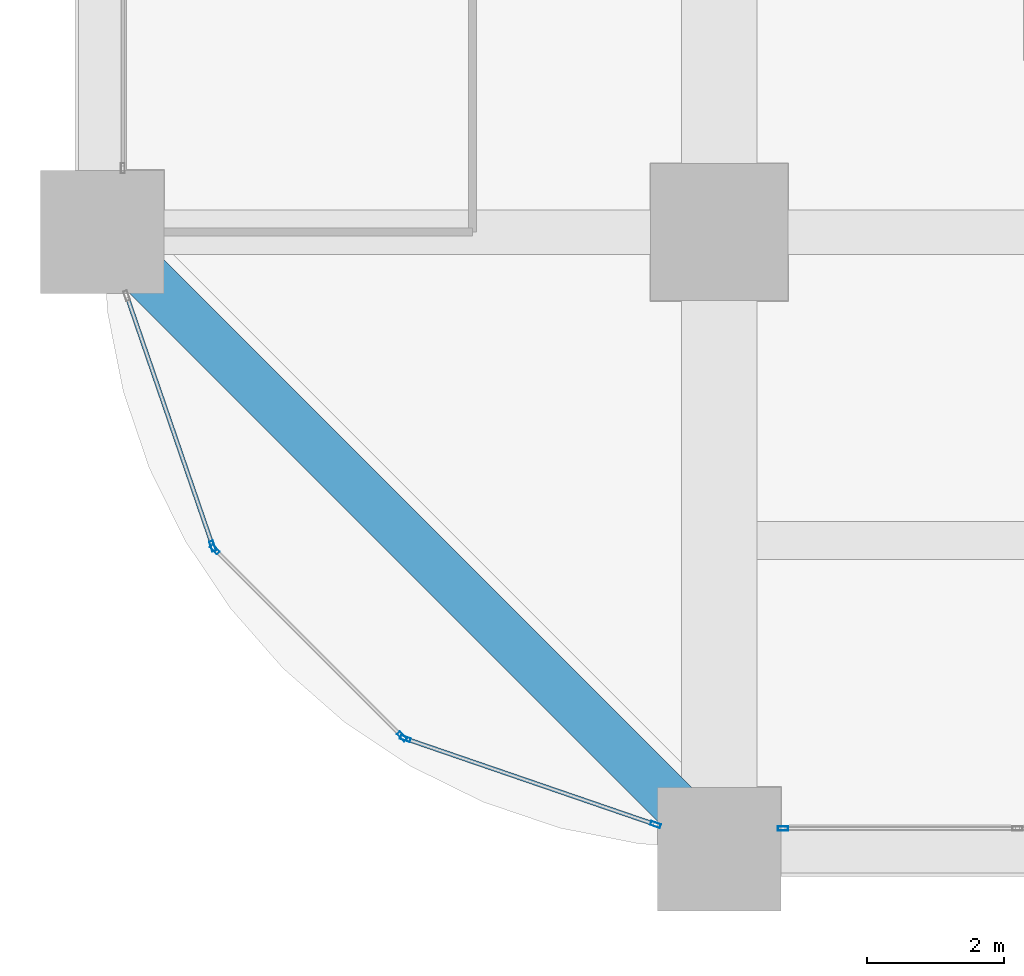
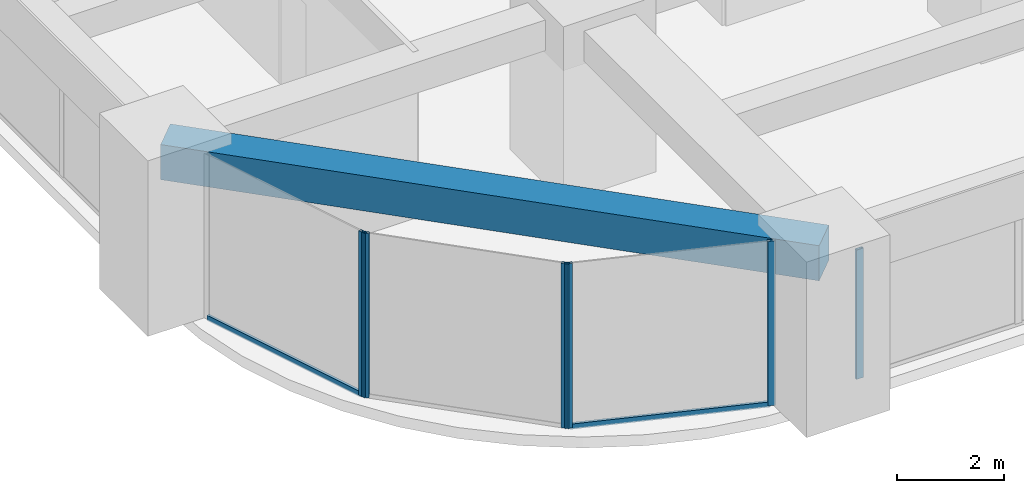
# One storey, part 2 of 41: 8 members, 1 beam, 4 elements without a shape of their own.
"""IFC4 building model written with IfcOpenShell, lengths in metres."""

from ifc_helpers import new_model, si_unit, direction, frame, origin, origin_2d, place, context, subcontext, project, spatial, rectangle, hollow_rectangle, extrude, material, material_profile, profile_set, type_object, element, aggregate, save


model = new_model("IFC4")

# Units and contexts
model_context = context("Model", 3, precision=1e-05, world=origin(), true_north=direction((0.0, 1.0)))
body_context = subcontext(model_context, "Body", "Model", "MODEL_VIEW")
ifc_project = project(units=[si_unit("LENGTHUNIT", "METRE"), si_unit("AREAUNIT", "SQUARE_METRE"), si_unit("VOLUMEUNIT", "CUBIC_METRE"), si_unit("PLANEANGLEUNIT", "RADIAN"), si_unit("MASSUNIT", "GRAM", prefix="KILO")], contexts=[model_context])

# Site, building, storey
site_placement = place(None, origin())
site = spatial("IfcSite", under=ifc_project, at=site_placement, CompositionType="ELEMENT")
building_placement = place(site_placement, origin())
building = spatial("IfcBuilding", under=site, at=building_placement, Name="Zorevar Civic Tower", CompositionType="ELEMENT")
storey_placement = place(building_placement, frame((0.0, 0.0, 109.0)))
storey = spatial("IfcBuildingStorey", under=building, at=storey_placement, Name="L26", CompositionType="ELEMENT", Elevation=109.0)

# Curtain wall, member
ifc_material_1 = material(Name="Dark grey solar-control glass in black aluminium frame", Category="aluminium")
curtain_wall_type = type_object("IfcCurtainWallType", Name="Curtain wall CW3 mid zone", PredefinedType="NOTDEFINED", material=ifc_material_1)
curtain_wall_1_placement = place(storey_placement, origin())
curtain_wall_1 = element("IfcCurtainWall", 1, at=curtain_wall_1_placement, inside=storey, type_object=curtain_wall_type, Name="CW3 L26", PredefinedType="NOTDEFINED")
ifc_material_2 = material(Name="Aluminium, black anodised", Category="aluminium")
ifc_material_profile_1 = material_profile(ifc_material_2, hollow_rectangle(XDim=0.06005859375, YDim=0.14990234375, WallThickness=0.00390625, at=origin_2d()), Name="AL 150x60x4")
ifc_profile_set_1 = profile_set([ifc_material_profile_1], Name="Aluminium, black anodised")
member_type_1 = type_object("IfcMemberType", Name="CW3 mullion AL 150x60x4", PredefinedType="MULLION", material=ifc_profile_set_1)
member_1_placement = place(storey_placement, frame((9.929931640625, 0.300048828125, 0.0), z_axis=(0.0, 0.0, 1.0), x_axis=(0.0, 1.0, 0.0)))
member_1 = element("IfcMember", 2, at=member_1_placement, type_object=member_type_1, Name="CW3 mullion 1", PredefinedType="MULLION", context=body_context, shape_type="SweptSolid", body=[
    extrude(hollow_rectangle(XDim=0.06005859375, YDim=0.14990234375, WallThickness=0.00390625, at=origin_2d()), origin(), (0.0, 0.0, 1.0), 2.949951171875),
])
aggregate(curtain_wall_1, [member_1])

curtain_wall_2_placement = place(storey_placement, origin())
curtain_wall_2 = element("IfcCurtainWall", 3, at=curtain_wall_2_placement, inside=storey, type_object=curtain_wall_type, Name="CW3 L26", PredefinedType="NOTDEFINED")
member_2_placement = place(storey_placement, frame((1.610595703125, 4.420654296875, 0.0), z_axis=(0.0, 0.0, 1.0), x_axis=(0.945755772794, 0.324878466857, 0.0)))
member_2 = element("IfcMember", 4, at=member_2_placement, type_object=member_type_1, Name="CW3 mullion 2", PredefinedType="MULLION", context=body_context, shape_type="SweptSolid", body=[
    extrude(hollow_rectangle(XDim=0.06005859375, YDim=0.14990234375, WallThickness=0.00390625, at=origin_2d()), origin(), (0.0, 0.0, 1.0), 3.75),
])

# Curtain wall, members
curtain_wall_3_placement = place(storey_placement, origin())
curtain_wall_3 = element("IfcCurtainWall", 5, at=curtain_wall_3_placement, inside=storey, type_object=curtain_wall_type, Name="CW3 L26", PredefinedType="NOTDEFINED")
member_3_placement = place(storey_placement, frame((1.6416015625, 4.37109375, 0.0), z_axis=(0.0, 0.0, 1.0), x_axis=(0.707106781187, 0.707106781187, 0.0)))
member_3 = element("IfcMember", 6, at=member_3_placement, type_object=member_type_1, Name="CW3 mullion 1", PredefinedType="MULLION", context=body_context, shape_type="SweptSolid", body=[
    extrude(hollow_rectangle(XDim=0.06005859375, YDim=0.14990234375, WallThickness=0.00390625, at=origin_2d()), origin(), (0.0, 0.0, 1.0), 3.75),
])
member_4_placement = place(storey_placement, frame((4.37109375, 1.6416015625, 0.0), z_axis=(0.0, 0.0, 1.0), x_axis=(0.707106781187, 0.707106781187, 0.0)))
member_4 = element("IfcMember", 7, at=member_4_placement, type_object=member_type_1, Name="CW3 mullion 2", PredefinedType="MULLION", context=body_context, shape_type="SweptSolid", body=[
    extrude(hollow_rectangle(XDim=0.06005859375, YDim=0.14990234375, WallThickness=0.00390625, at=origin_2d()), origin(), (0.0, 0.0, 1.0), 3.75),
])
aggregate(curtain_wall_3, [member_3, member_4])

curtain_wall_4_placement = place(storey_placement, origin())
curtain_wall_4 = element("IfcCurtainWall", 8, at=curtain_wall_4_placement, inside=storey, type_object=curtain_wall_type, Name="CW3 L26", PredefinedType="NOTDEFINED")
member_5_placement = place(storey_placement, frame((4.420654296875, 1.610595703125, 0.0), z_axis=(0.0, 0.0, 1.0), x_axis=(0.324878466857, 0.945755772794, 0.0)))
member_5 = element("IfcMember", 9, at=member_5_placement, type_object=member_type_1, Name="CW3 mullion 1", PredefinedType="MULLION", context=body_context, shape_type="SweptSolid", body=[
    extrude(hollow_rectangle(XDim=0.06005859375, YDim=0.14990234375, WallThickness=0.00390625, at=origin_2d()), origin(), (0.0, 0.0, 1.0), 3.75),
])
member_6_placement = place(storey_placement, frame((8.071533203125, 0.3564453125, 0.0), z_axis=(0.0, 0.0, 1.0), x_axis=(0.324878466857, 0.945755772794, 0.0)))
member_6 = element("IfcMember", 10, at=member_6_placement, type_object=member_type_1, Name="CW3 mullion 2", PredefinedType="MULLION", context=body_context, shape_type="SweptSolid", body=[
    extrude(hollow_rectangle(XDim=0.06005859375, YDim=0.14990234375, WallThickness=0.00390625, at=origin_2d()), origin(), (0.0, 0.0, 1.0), 3.75),
])

# Member
ifc_material_3 = material(Name="Aluminium, black anodised", Category="aluminium")
ifc_material_profile_2 = material_profile(ifc_material_3, hollow_rectangle(XDim=0.06005859375, YDim=0.1201171875, WallThickness=0.0029296875, at=origin_2d()), Name="AL 120x60x3")
ifc_profile_set_2 = profile_set([ifc_material_profile_2], Name="Aluminium, black anodised")
member_type_2 = type_object("IfcMemberType", Name="CW3 transom AL 120x60x3", PredefinedType="USERDEFINED", material=ifc_profile_set_2)
member_7_placement = place(storey_placement, frame((0.3662109375, 8.043212890625, 0.030029296875), z_axis=(0.324887643602, -0.945752620422, 0.0), x_axis=(0.945752620422, 0.324887643602, 0.0)))
member_7 = element("IfcMember", 11, at=member_7_placement, type_object=member_type_2, Name="CW3 sill transom", ObjectType="TRANSOM", PredefinedType="USERDEFINED", context=body_context, shape_type="SweptSolid", body=[
    extrude(hollow_rectangle(XDim=0.06005859375, YDim=0.1201171875, WallThickness=0.0029296875, at=origin_2d()), origin(), (0.0, 0.0, 1.0), 3.800048828125),
])

aggregate(curtain_wall_2, [member_2, member_7])

member_8_placement = place(storey_placement, frame((4.44921875, 1.600830078125, 0.030029296875), z_axis=(0.945752620422, -0.324887643602, 0.0), x_axis=(0.324887643602, 0.945752620422, 0.0)))
member_8 = element("IfcMember", 12, at=member_8_placement, type_object=member_type_2, Name="CW3 sill transom", ObjectType="TRANSOM", PredefinedType="USERDEFINED", context=body_context, shape_type="SweptSolid", body=[
    extrude(hollow_rectangle(XDim=0.06005859375, YDim=0.1201171875, WallThickness=0.0029296875, at=origin_2d()), origin(), (0.0, 0.0, 1.0), 3.800048828125),
])

aggregate(curtain_wall_4, [member_5, member_6, member_8])

# Beam
ifc_material_4 = material(Name="Concrete C50/60", Category="concrete")
ifc_material_profile_3 = material_profile(ifc_material_4, rectangle(XDim=0.699951171875, YDim=0.800048828125, at=origin_2d()), Name="RC 700x800")
ifc_profile_set_3 = profile_set([ifc_material_profile_3], Name="Concrete C50/60")
beam_type = type_object("IfcBeamType", Name="Edge beam RC 700x800", PredefinedType="SPANDREL", material=ifc_profile_set_3)
beam_placement = place(storey_placement, frame((0.0, 9.0, 3.35009765625), z_axis=(0.707106781187, -0.707106781187, 0.0), x_axis=(0.707106781187, 0.707106781187, 0.0)))
element("IfcBeam", 13, at=beam_placement, inside=storey, type_object=beam_type, Name="Corner edge beam L27", PredefinedType="SPANDREL", context=body_context, shape_type="SweptSolid", body=[
    extrude(rectangle(XDim=0.699951171875, YDim=0.800048828125, at=origin_2d()), origin(), (0.0, 0.0, 1.0), 12.72802734375),
])

save(model, "model.ifc")
